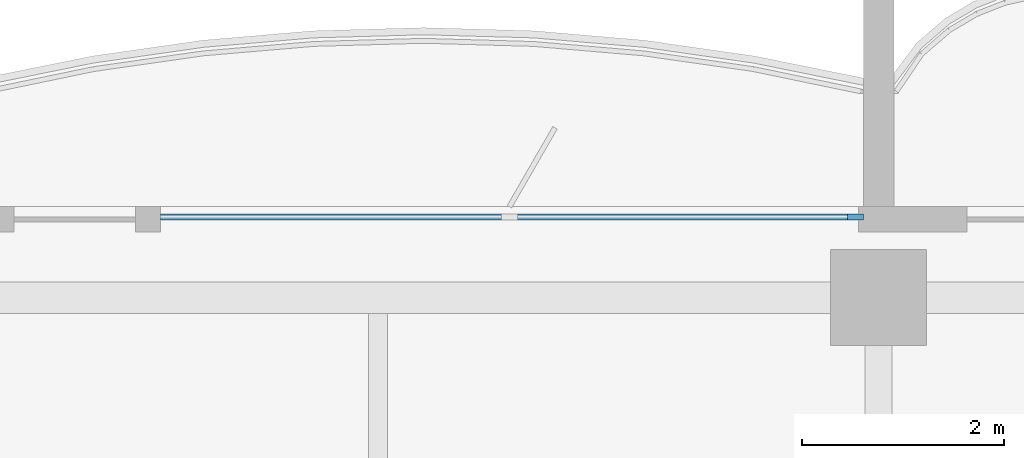
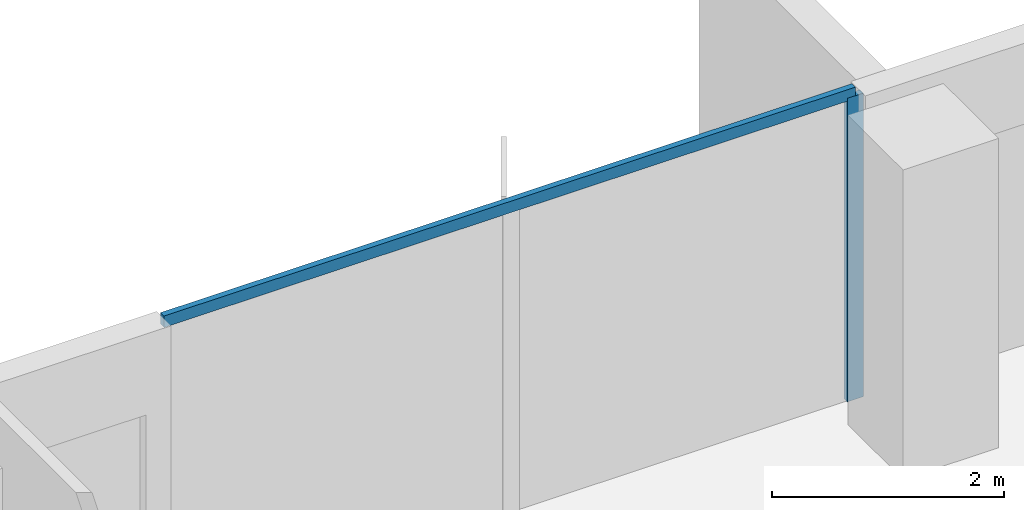
# One storey, part 6 of 17: 2 members, 1 element without a shape of its own.
"""IFC4 building model written with IfcOpenShell, lengths in metres."""

from ifc_helpers import new_model, si_unit, direction, frame, origin, origin_2d, place, context, subcontext, project, spatial, rectangle, extrude, material, material_profile, profile_set, type_object, element, aggregate, save


model = new_model("IFC4")

# Units and contexts
model_context = context("Model", 3, precision=1e-05, world=origin(), true_north=direction((0.0, 1.0)))
body_context = subcontext(model_context, "Body", "Model", "MODEL_VIEW")
ifc_project = project(units=[si_unit("LENGTHUNIT", "METRE"), si_unit("AREAUNIT", "SQUARE_METRE"), si_unit("VOLUMEUNIT", "CUBIC_METRE"), si_unit("PLANEANGLEUNIT", "RADIAN"), si_unit("MASSUNIT", "GRAM", prefix="KILO")], contexts=[model_context])

# Site, building, storey
site_placement = place(None, origin())
site = spatial("IfcSite", under=ifc_project, at=site_placement, CompositionType="ELEMENT")
building_placement = place(site_placement, origin())
building = spatial("IfcBuilding", under=site, at=building_placement, Name="Perihelion Cross Residences", CompositionType="ELEMENT")
storey_placement = place(building_placement, frame((0.0, 0.0, 208.60009765625)))
storey = spatial("IfcBuildingStorey", under=building, at=storey_placement, Name="L52", CompositionType="ELEMENT", Elevation=208.60009765625)

# Curtain wall, members
ifc_material_1 = material(Name="Bronze anodised aluminium, tinted glazing", Category="aluminium")
curtain_wall_type = type_object("IfcCurtainWallType", Name="CW1", PredefinedType="NOTDEFINED", material=ifc_material_1)
curtain_wall_placement = place(storey_placement, origin())
curtain_wall = element("IfcCurtainWall", 1, at=curtain_wall_placement, inside=storey, type_object=curtain_wall_type, Name="Curtain wall CW1 L52 east side north bay 2", PredefinedType="NOTDEFINED")
ifc_material_2 = material(Name="Bronze anodised aluminium", Category="aluminium")
ifc_material_profile_1 = material_profile(ifc_material_2, rectangle(XDim=0.06005859375, YDim=0.159912109375, at=origin_2d()), Name="CW1 mullion")
ifc_profile_set_1 = profile_set([ifc_material_profile_1], Name="Bronze anodised aluminium")
member_type_1 = type_object("IfcMemberType", Name="CW1 mullion", PredefinedType="MULLION", material=ifc_profile_set_1)
member_1_placement = place(storey_placement, frame((17.77001953125, 8.89990234375, 0.0), z_axis=(0.0, 0.0, 1.0), x_axis=(0.0, -1.0, 0.0)))
member_1 = element("IfcMember", 2, at=member_1_placement, type_object=member_type_1, Name="CW1 mullion 1", PredefinedType="MULLION", context=body_context, shape_type="SweptSolid", body=[
    extrude(rectangle(XDim=0.06005859375, YDim=0.159912109375, at=origin_2d()), origin(), (0.0, 0.0, 1.0), 3.18994140625),
])
ifc_material_3 = material(Name="Bronze anodised aluminium", Category="aluminium")
ifc_material_profile_2 = material_profile(ifc_material_3, rectangle(XDim=0.06005859375, YDim=0.1201171875, at=origin_2d()), Name="CW1 transom")
ifc_profile_set_2 = profile_set([ifc_material_profile_2], Name="Bronze anodised aluminium")
member_type_2 = type_object("IfcMemberType", Name="CW1 transom", PredefinedType="USERDEFINED", material=ifc_profile_set_2)
member_2_placement = place(storey_placement, frame((17.77001953125, 8.89990234375, 3.219970703125), z_axis=(-1.0, 0.0, 0.0), x_axis=(0.0, -1.0, 0.0)))
member_2 = element("IfcMember", 3, at=member_2_placement, type_object=member_type_2, Name="CW1 head transom", ObjectType="TRANSOM", PredefinedType="USERDEFINED", context=body_context, shape_type="SweptSolid", body=[
    extrude(rectangle(XDim=0.06005859375, YDim=0.1201171875, at=origin_2d()), origin(), (0.0, 0.0, 1.0), 6.8701171875),
])
aggregate(curtain_wall, [member_1, member_2])

save(model, "model.ifc")
